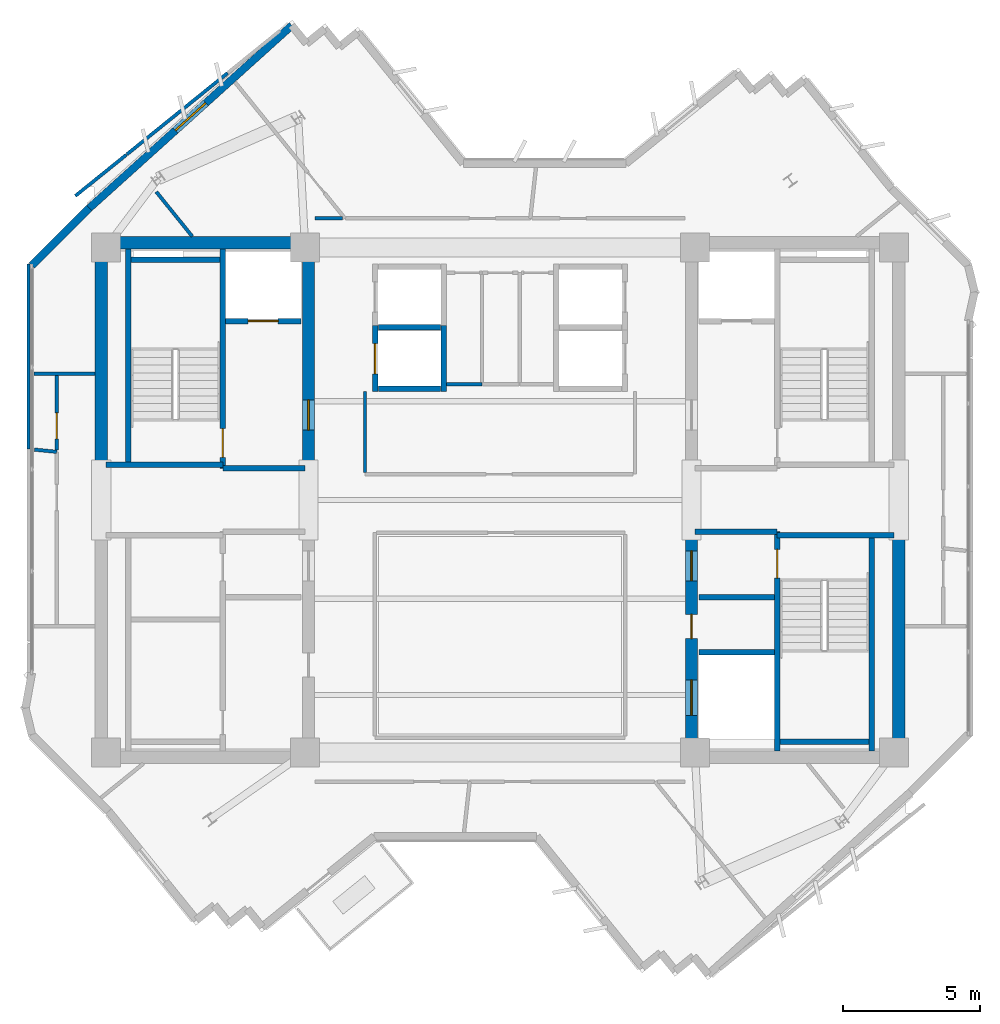
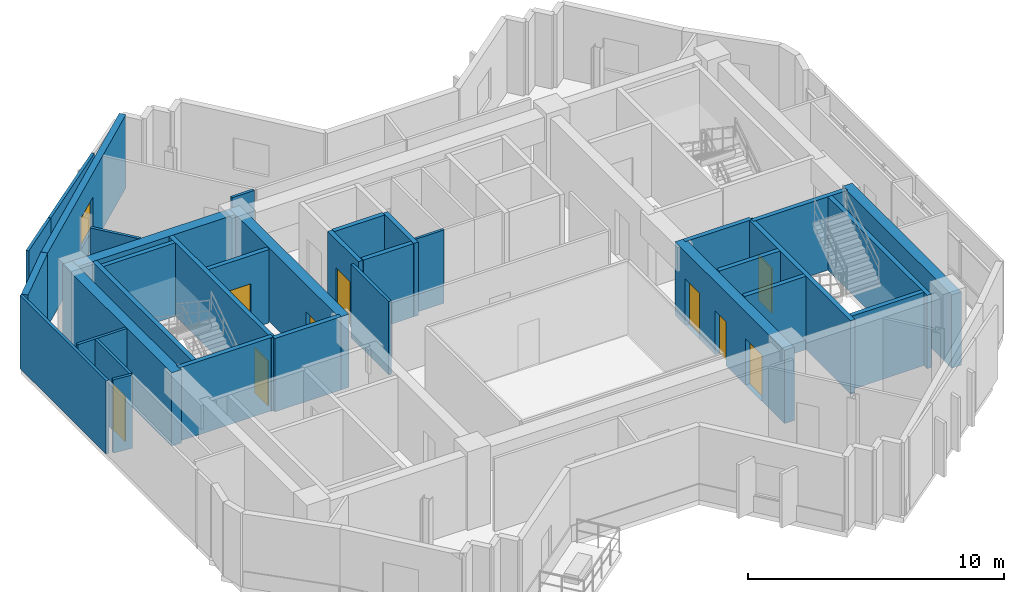
# One storey, part 7 of 11: 34 walls, 9 doors, 1 window, 10 openings.
"""IFC4 building model written with IfcOpenShell, lengths in metres."""

from ifc_helpers import new_model, si_unit, direction, frame, frame_2d, origin, place, context, subcontext, project, spatial, rectangle, extrude, source, transform, mapped, material, layer, layer_set, type_object, element, fill, save


model = new_model("IFC4")

# Units and contexts
model_context = context("Model", 3, precision=1e-05, world=origin(), true_north=direction((0.0, 1.0)))
body_context = subcontext(model_context, "Body", "Model", "MODEL_VIEW")
ifc_project = project(units=[si_unit("LENGTHUNIT", "METRE"), si_unit("AREAUNIT", "SQUARE_METRE"), si_unit("VOLUMEUNIT", "CUBIC_METRE"), si_unit("PLANEANGLEUNIT", "RADIAN"), si_unit("MASSUNIT", "GRAM", prefix="KILO")], contexts=[model_context])

# Site, building, storey
site_placement = place(None, origin())
site = spatial("IfcSite", under=ifc_project, at=site_placement, CompositionType="ELEMENT")
building_placement = place(site_placement, origin())
building = spatial("IfcBuilding", under=site, at=building_placement, Name="Zahravan Cultural Tower", CompositionType="ELEMENT")
storey_placement = place(building_placement, frame((0.0, 0.0, 284.10009765625)))
storey = spatial("IfcBuildingStorey", under=building, at=storey_placement, Name="L68", CompositionType="ELEMENT", Elevation=284.10009765625)

# Wall, opening, door
ifc_material_1 = material(Name="Concrete C50/60", Category="concrete")
ifc_layer_1 = layer(ifc_material_1, 0.449951171875)
ifc_layer_set_1 = layer_set([ifc_layer_1], Name="Concrete C50/60")
wall_type_1 = type_object("IfcWallType", Name="CW-SHEAR-450-C50", PredefinedType="SHEAR", material=ifc_layer_set_1)
wall_1_placement = place(storey_placement, frame((29.02490234375, 28.050048828125, 0.0), z_axis=(0.0, 0.0, 1.0), x_axis=(0.0, 1.0, 0.0)))
wall_1 = element("IfcWall", 1, at=wall_1_placement, inside=storey, type_object=wall_type_1, Name="L68 Core Shear Wall CW-W-EN-L68", PredefinedType="SHEAR", context=body_context, shape_type="SweptSolid", body=[
    extrude(rectangle(XDim=8.550048828125, YDim=0.449951171875, at=frame_2d((4.27490234375, 0.0))), origin(), (0.0, 0.0, 1.0), 3.5),
])
opening_1_placement = place(wall_1_placement, frame((1.5, 0.0, 0.0)))
opening_1 = element("IfcOpeningElement", 2, at=opening_1_placement, cuts=wall_1, Name="Opening D-L68-06", PredefinedType="OPENING", context=body_context, shape_type="SweptSolid", body=[
    extrude(rectangle(XDim=1.10009765625, YDim=2.199951171875, at=frame_2d((0.550048828125, 1.10009765625))), frame((0.0, 0.23486328125, 0.0), z_axis=(0.0, -1.0, 0.0), x_axis=(1.0, 0.0, 0.0)), (0.0, 0.0, 1.0), 0.469970703125),
])
ifc_material_2 = material(Name="Steel ASTM A572 Grade 50", Category="steel")
door_type_1 = type_object("IfcDoorType", Name="DR-LOBBY-1100", OperationType="NOTDEFINED", PredefinedType="DOOR", material=ifc_material_2)
shared_shape_1 = source(origin(), body_context, "Body", "SweptSolid", [
    extrude(rectangle(XDim=1.10009765625, YDim=2.199951171875, at=frame_2d((0.550048828125, 1.10009765625))), frame((0.0, 0.02490234375, 0.0), z_axis=(0.0, -1.0, 0.0), x_axis=(1.0, 0.0, 0.0)), (0.0, 0.0, 1.0), 0.050048828125),
])
door_1_placement = place(opening_1_placement, origin())
door_1 = element("IfcDoor", 3, at=door_1_placement, inside=storey, type_object=door_type_1, Name="L68 Door D-L68-06", OperationType="SINGLE_SWING_LEFT", OverallHeight=2.199951171875, OverallWidth=1.10009765625, PredefinedType="DOOR", context=body_context, shape_type="MappedRepresentation", body=[
    mapped(shared_shape_1, transform((0.0, 0.0, 0.0), x_axis=(1.0, 0.0, 0.0), y_axis=(0.0, 1.0, 0.0), z_axis=(0.0, 0.0, 1.0), scale=1.0)),
])
fill(opening_1, door_1)

# Wall, openings, doors
wall_2_placement = place(storey_placement, frame((42.97509765625, 17.39990234375, 0.0), z_axis=(0.0, 0.0, 1.0), x_axis=(0.0, 1.0, 0.0)))
wall_2 = element("IfcWall", 4, at=wall_2_placement, inside=storey, type_object=wall_type_1, Name="L68 Core Shear Wall CW-E-WS-L68", PredefinedType="SHEAR", context=body_context, shape_type="SweptSolid", body=[
    extrude(rectangle(XDim=8.550048828125, YDim=0.449951171875, at=frame_2d((4.27490234375, 0.0))), origin(), (0.0, 0.0, 1.0), 3.5),
])
opening_2_placement = place(wall_2_placement, frame((6.64990234375, 0.0, 0.0)))
opening_2 = element("IfcOpeningElement", 5, at=opening_2_placement, cuts=wall_2, Name="Opening D-L68-09", PredefinedType="OPENING", context=body_context, shape_type="SweptSolid", body=[
    extrude(rectangle(XDim=1.10009765625, YDim=2.199951171875, at=frame_2d((0.550048828125, 1.10009765625))), frame((0.0, 0.23486328125, 0.0), z_axis=(0.0, -1.0, 0.0), x_axis=(1.0, 0.0, 0.0)), (0.0, 0.0, 1.0), 0.469970703125),
])
opening_3_placement = place(wall_2_placement, frame((1.75, 0.0, 0.0)))
opening_3 = element("IfcOpeningElement", 6, at=opening_3_placement, cuts=wall_2, Name="Opening LD-L68-03", PredefinedType="OPENING", context=body_context, shape_type="SweptSolid", body=[
    extrude(rectangle(XDim=1.300048828125, YDim=2.199951171875, at=frame_2d((0.64990234375, 1.10009765625))), frame((0.0, 0.23486328125, 0.0), z_axis=(0.0, -1.0, 0.0), x_axis=(1.0, 0.0, 0.0)), (0.0, 0.0, 1.0), 0.469970703125),
])
opening_4_placement = place(wall_2_placement, frame((4.550048828125, 0.0, 0.0)))
opening_4 = element("IfcOpeningElement", 7, at=opening_4_placement, cuts=wall_2, Name="Opening D-L68-11", PredefinedType="OPENING", context=body_context, shape_type="SweptSolid", body=[
    extrude(rectangle(XDim=0.8798828125, YDim=2.10009765625, at=frame_2d((0.43994140625, 1.050048828125))), frame((0.0, 0.23486328125, 0.0), z_axis=(0.0, -1.0, 0.0), x_axis=(1.0, 0.0, 0.0)), (0.0, 0.0, 1.0), 0.469970703125),
])
door_2_placement = place(opening_2_placement, origin())
door_2 = element("IfcDoor", 8, at=door_2_placement, inside=storey, type_object=door_type_1, Name="L68 Door D-L68-09", OperationType="SINGLE_SWING_RIGHT", OverallHeight=2.199951171875, OverallWidth=1.10009765625, PredefinedType="DOOR", context=body_context, shape_type="MappedRepresentation", body=[
    mapped(shared_shape_1, transform((0.0, 0.0, 0.0), x_axis=(1.0, 0.0, 0.0), y_axis=(0.0, 1.0, 0.0), z_axis=(0.0, 0.0, 1.0), scale=1.0)),
])
fill(opening_2, door_2)
door_type_2 = type_object("IfcDoorType", Name="DR-LIFT-1300", OperationType="DOUBLE_DOOR_SLIDING", PredefinedType="DOOR", material=ifc_material_2)
shared_shape_2 = source(origin(), body_context, "Body", "SweptSolid", [
    extrude(rectangle(XDim=1.300048828125, YDim=2.199951171875, at=frame_2d((0.64990234375, 1.10009765625))), frame((0.0, 0.02490234375, 0.0), z_axis=(0.0, -1.0, 0.0), x_axis=(1.0, 0.0, 0.0)), (0.0, 0.0, 1.0), 0.050048828125),
])
door_3_placement = place(opening_3_placement, origin())
door_3 = element("IfcDoor", 9, at=door_3_placement, inside=storey, type_object=door_type_2, Name="L68 Door LD-L68-03", OperationType="DOUBLE_DOOR_SLIDING", OverallHeight=2.199951171875, OverallWidth=1.300048828125, PredefinedType="DOOR", context=body_context, shape_type="MappedRepresentation", body=[
    mapped(shared_shape_2, transform((0.0, 0.0, 0.0), x_axis=(1.0, 0.0, 0.0), y_axis=(0.0, 1.0, 0.0), z_axis=(0.0, 0.0, 1.0), scale=1.0)),
])
fill(opening_3, door_3)
door_type_3 = type_object("IfcDoorType", Name="DR-SVC-880", OperationType="NOTDEFINED", PredefinedType="DOOR", material=ifc_material_2)
shared_shape_3 = source(origin(), body_context, "Body", "SweptSolid", [
    extrude(rectangle(XDim=0.8798828125, YDim=2.10009765625, at=frame_2d((0.43994140625, 1.050048828125))), frame((0.0, 0.02490234375, 0.0), z_axis=(0.0, -1.0, 0.0), x_axis=(1.0, 0.0, 0.0)), (0.0, 0.0, 1.0), 0.050048828125),
])
door_4_placement = place(opening_4_placement, origin())
door_4 = element("IfcDoor", 10, at=door_4_placement, inside=storey, type_object=door_type_3, Name="L68 Door D-L68-11", OperationType="SINGLE_SWING_RIGHT", OverallHeight=2.10009765625, OverallWidth=0.8798828125, PredefinedType="DOOR", context=body_context, shape_type="MappedRepresentation", body=[
    mapped(shared_shape_3, transform((0.0, 0.0, 0.0), x_axis=(1.0, 0.0, 0.0), y_axis=(0.0, 1.0, 0.0), z_axis=(0.0, 0.0, 1.0), scale=1.0)),
])
fill(opening_4, door_4)

# Wall, opening, window
ifc_material_3 = material(Name="Precast concrete C40/50", Category="concrete")
ifc_layer_2 = layer(ifc_material_3, 0.280029296875)
ifc_layer_set_2 = layer_set([ifc_layer_2], Name="Precast concrete C40/50")
wall_type_2 = type_object("IfcWallType", Name="EW-TC-280", PredefinedType="SOLIDWALL", material=ifc_layer_set_2)
wall_3_placement = place(storey_placement, frame((21.0361328125, 37.63818359375, 0.0), z_axis=(0.0, 0.0, 1.0), x_axis=(0.742587457262, 0.669749108486, 0.0)))
wall_3 = element("IfcWall", 11, at=wall_3_placement, inside=storey, type_object=wall_type_2, Name="L68 Exterior Masonry Frame Wall 02", PredefinedType="SOLIDWALL", context=body_context, shape_type="SweptSolid", body=[
    extrude(rectangle(XDim=9.934814453125, YDim=0.280029296875, at=frame_2d((4.96728515625, 0.0))), origin(), (0.0, 0.0, 1.0), 3.5),
])
opening_5_placement = place(wall_3_placement, frame((4.217041015625, 0.0, 0.85009765625)))
opening_5 = element("IfcOpeningElement", 12, at=opening_5_placement, cuts=wall_3, Name="Opening WN-03", PredefinedType="OPENING", context=body_context, shape_type="SweptSolid", body=[
    extrude(rectangle(XDim=1.5, YDim=1.5, at=frame_2d((0.75, 0.75))), frame((0.0, 0.14990234375, 0.0), z_axis=(0.0, -1.0, 0.0), x_axis=(1.0, 0.0, 0.0)), (0.0, 0.0, 1.0), 0.300048828125),
])
ifc_material_4 = material(Name="Low-E solar-control double glazing", Category="glass")
window_type = type_object("IfcWindowType", Name="WN-REC-1500X1500", PartitioningType="SINGLE_PANEL", PredefinedType="WINDOW", material=ifc_material_4)
shared_shape_4 = source(origin(), body_context, "Body", "SweptSolid", [
    extrude(rectangle(XDim=1.5, YDim=1.5, at=frame_2d((0.75, 0.75))), frame((0.0, 0.030029296875, 0.0), z_axis=(0.0, -1.0, 0.0), x_axis=(1.0, 0.0, 0.0)), (0.0, 0.0, 1.0), 0.06005859375),
])
window_placement = place(opening_5_placement, origin())
window = element("IfcWindow", 13, at=window_placement, inside=storey, type_object=window_type, Name="L68 Recessed Solar Window 01", OverallHeight=1.5, OverallWidth=1.5, PartitioningType="SINGLE_PANEL", PredefinedType="WINDOW", context=body_context, shape_type="MappedRepresentation", body=[
    mapped(shared_shape_4, transform((0.0, 0.0, 0.0), x_axis=(1.0, 0.0, 0.0), y_axis=(0.0, 1.0, 0.0), z_axis=(0.0, 0.0, 1.0), scale=1.0)),
])
fill(opening_5, window)

# Wall, opening, door
ifc_material_5 = material(Name="Gypsum plasterboard partition")
ifc_layer_3 = layer(ifc_material_5, 0.125)
ifc_layer_set_3 = layer_set([ifc_layer_3], Name="Gypsum plasterboard partition")
wall_type_3 = type_object("IfcWallType", Name="W-PART-125", PredefinedType="PARTITIONING", material=ifc_layer_set_3)
wall_4_placement = place(storey_placement, frame((19.853515625, 31.599609375, 0.0), z_axis=(0.0, 0.0, 1.0), x_axis=(-0.00123022754, -0.99999924327, 0.0)))
wall_4 = element("IfcWall", 14, at=wall_4_placement, inside=storey, type_object=wall_type_3, Name="L68 Interior Wall 066", PredefinedType="PARTITIONING", context=body_context, shape_type="SweptSolid", body=[
    extrude(rectangle(XDim=2.7783203125, YDim=0.125, at=frame_2d((1.38916015625, 0.0))), origin(), (0.0, 0.0, 1.0), 3.5),
])
opening_6_placement = place(wall_4_placement, frame((1.42578125, 0.0, 0.0)))
opening_6 = element("IfcOpeningElement", 15, at=opening_6_placement, cuts=wall_4, Name="Opening D-L68-20", PredefinedType="OPENING", context=body_context, shape_type="SweptSolid", body=[
    extrude(rectangle(XDim=0.949951171875, YDim=2.14990234375, at=frame_2d((0.47509765625, 1.074951171875))), frame((0.0, 0.072509765625, 0.0), z_axis=(0.0, -1.0, 0.0), x_axis=(1.0, 0.0, 0.0)), (0.0, 0.0, 1.0), 0.14501953125),
])
ifc_material_6 = material(Name="Anodised bronze-aluminium mullion", Category="aluminium")
door_type_4 = type_object("IfcDoorType", Name="DR-ROOM-950", OperationType="NOTDEFINED", PredefinedType="DOOR", material=ifc_material_6)
shared_shape_5 = source(origin(), body_context, "Body", "SweptSolid", [
    extrude(rectangle(XDim=0.949951171875, YDim=2.14990234375, at=frame_2d((0.47509765625, 1.074951171875))), frame((0.0, 0.02490234375, 0.0), z_axis=(0.0, -1.0, 0.0), x_axis=(1.0, 0.0, 0.0)), (0.0, 0.0, 1.0), 0.050048828125),
])
door_5_placement = place(opening_6_placement, origin())
door_5 = element("IfcDoor", 16, at=door_5_placement, inside=storey, type_object=door_type_4, Name="L68 Door D-L68-20", OperationType="SINGLE_SWING_LEFT", OverallHeight=2.14990234375, OverallWidth=0.949951171875, PredefinedType="DOOR", context=body_context, shape_type="MappedRepresentation", body=[
    mapped(shared_shape_5, transform((0.0, 0.0, 0.0), x_axis=(1.0, 0.0, 0.0), y_axis=(0.0, 1.0, 0.0), z_axis=(0.0, 0.0, 1.0), scale=1.0)),
])
fill(opening_6, door_5)

ifc_material_7 = material(Name="Concrete C45/55", Category="concrete")
ifc_layer_4 = layer(ifc_material_7, 0.199951171875)
ifc_layer_set_4 = layer_set([ifc_layer_4], Name="Concrete C45/55")
wall_type_4 = type_object("IfcWallType", Name="W-SHAFT-200", PredefinedType="SOLIDWALL", material=ifc_layer_set_4)
wall_5_placement = place(storey_placement, frame((25.89990234375, 28.14990234375, 0.0), z_axis=(0.0, 0.0, 1.0), x_axis=(0.0, 1.0, 0.0)))
wall_5 = element("IfcWall", 17, at=wall_5_placement, inside=storey, type_object=wall_type_4, Name="L68 Interior Wall 006", PredefinedType="SOLIDWALL", context=body_context, shape_type="SweptSolid", body=[
    extrude(rectangle(XDim=8.0, YDim=0.199951171875, at=frame_2d((4.0, 0.0))), origin(), (0.0, 0.0, 1.0), 3.5),
])
opening_7_placement = place(wall_5_placement, frame((0.39990234375, 0.0, 0.0)))
opening_7 = element("IfcOpeningElement", 18, at=opening_7_placement, cuts=wall_5, Name="Opening D-L68-01", PredefinedType="OPENING", context=body_context, shape_type="SweptSolid", body=[
    extrude(rectangle(XDim=1.050048828125, YDim=2.14990234375, at=frame_2d((0.52490234375, 1.074951171875))), frame((0.0, 0.10986328125, 0.0), z_axis=(0.0, -1.0, 0.0), x_axis=(1.0, 0.0, 0.0)), (0.0, 0.0, 1.0), 0.219970703125),
])
door_type_5 = type_object("IfcDoorType", Name="DR-STAIR-1050", OperationType="NOTDEFINED", PredefinedType="DOOR", material=ifc_material_2)
shared_shape_6 = source(origin(), body_context, "Body", "SweptSolid", [
    extrude(rectangle(XDim=1.050048828125, YDim=2.14990234375, at=frame_2d((0.52490234375, 1.074951171875))), frame((0.0, 0.02490234375, 0.0), z_axis=(0.0, -1.0, 0.0), x_axis=(1.0, 0.0, 0.0)), (0.0, 0.0, 1.0), 0.050048828125),
])
door_6_placement = place(opening_7_placement, origin())
door_6 = element("IfcDoor", 19, at=door_6_placement, inside=storey, type_object=door_type_5, Name="L68 Door D-L68-01", OperationType="SINGLE_SWING_RIGHT", OverallHeight=2.14990234375, OverallWidth=1.050048828125, PredefinedType="DOOR", context=body_context, shape_type="MappedRepresentation", body=[
    mapped(shared_shape_6, transform((0.0, 0.0, 0.0), x_axis=(1.0, 0.0, 0.0), y_axis=(0.0, 1.0, 0.0), z_axis=(0.0, 0.0, 1.0), scale=1.0)),
])
fill(opening_7, door_6)

wall_6_placement = place(storey_placement, frame((46.10009765625, 17.85009765625, 0.0), z_axis=(0.0, 0.0, 1.0), x_axis=(0.0, 1.0, 0.0)))
wall_6 = element("IfcWall", 20, at=wall_6_placement, inside=storey, type_object=wall_type_4, Name="L68 Interior Wall 007", PredefinedType="SOLIDWALL", context=body_context, shape_type="SweptSolid", body=[
    extrude(rectangle(XDim=8.0, YDim=0.199951171875, at=frame_2d((4.0, 0.0))), origin(), (0.0, 0.0, 1.0), 3.5),
])
opening_8_placement = place(wall_6_placement, frame((6.300048828125, 0.0, 0.0)))
opening_8 = element("IfcOpeningElement", 21, at=opening_8_placement, cuts=wall_6, Name="Opening D-L68-03", PredefinedType="OPENING", context=body_context, shape_type="SweptSolid", body=[
    extrude(rectangle(XDim=1.050048828125, YDim=2.14990234375, at=frame_2d((0.52490234375, 1.074951171875))), frame((0.0, 0.10986328125, 0.0), z_axis=(0.0, -1.0, 0.0), x_axis=(1.0, 0.0, 0.0)), (0.0, 0.0, 1.0), 0.219970703125),
])
door_7_placement = place(opening_8_placement, origin())
door_7 = element("IfcDoor", 22, at=door_7_placement, inside=storey, type_object=door_type_5, Name="L68 Door D-L68-03", OperationType="SINGLE_SWING_RIGHT", OverallHeight=2.14990234375, OverallWidth=1.050048828125, PredefinedType="DOOR", context=body_context, shape_type="MappedRepresentation", body=[
    mapped(shared_shape_6, transform((0.0, 0.0, 0.0), x_axis=(1.0, 0.0, 0.0), y_axis=(0.0, 1.0, 0.0), z_axis=(0.0, 0.0, 1.0), scale=1.0)),
])
fill(opening_8, door_7)

wall_7_placement = place(storey_placement, frame((26.0, 33.52001953125, 0.0), z_axis=(0.0, 0.0, 1.0), x_axis=(1.0, 0.0, 0.0)))
wall_7 = element("IfcWall", 23, at=wall_7_placement, inside=storey, type_object=wall_type_4, Name="L68 Interior Wall 022", PredefinedType="SOLIDWALL", context=body_context, shape_type="SweptSolid", body=[
    extrude(rectangle(XDim=2.75, YDim=0.199951171875, at=frame_2d((1.375, 0.0))), origin(), (0.0, 0.0, 1.0), 3.5),
])
opening_9_placement = place(wall_7_placement, frame((0.820068359375, 0.0, 0.0)))
opening_9 = element("IfcOpeningElement", 24, at=opening_9_placement, cuts=wall_7, Name="Opening LD-L68-01", PredefinedType="OPENING", context=body_context, shape_type="SweptSolid", body=[
    extrude(rectangle(XDim=1.10009765625, YDim=2.14990234375, at=frame_2d((0.550048828125, 1.074951171875))), frame((0.0, 0.10986328125, 0.0), z_axis=(0.0, -1.0, 0.0), x_axis=(1.0, 0.0, 0.0)), (0.0, 0.0, 1.0), 0.219970703125),
])
door_type_6 = type_object("IfcDoorType", Name="DR-LIFT-1100", OperationType="DOUBLE_DOOR_SLIDING", PredefinedType="DOOR", material=ifc_material_2)
shared_shape_7 = source(origin(), body_context, "Body", "SweptSolid", [
    extrude(rectangle(XDim=1.10009765625, YDim=2.14990234375, at=frame_2d((0.550048828125, 1.074951171875))), frame((0.0, 0.02490234375, 0.0), z_axis=(0.0, -1.0, 0.0), x_axis=(1.0, 0.0, 0.0)), (0.0, 0.0, 1.0), 0.050048828125),
])
door_8_placement = place(opening_9_placement, origin())
door_8 = element("IfcDoor", 25, at=door_8_placement, inside=storey, type_object=door_type_6, Name="L68 Door LD-L68-01", OperationType="DOUBLE_DOOR_SLIDING", OverallHeight=2.14990234375, OverallWidth=1.10009765625, PredefinedType="DOOR", context=body_context, shape_type="MappedRepresentation", body=[
    mapped(shared_shape_7, transform((0.0, 0.0, 0.0), x_axis=(1.0, 0.0, 0.0), y_axis=(0.0, 1.0, 0.0), z_axis=(0.0, 0.0, 1.0), scale=1.0)),
])
fill(opening_9, door_8)

wall_8_placement = place(storey_placement, frame((31.449951171875, 30.949951171875, 0.0), z_axis=(0.0, 0.0, 1.0), x_axis=(0.0, 1.0, 0.0)))
wall_8 = element("IfcWall", 26, at=wall_8_placement, inside=storey, type_object=wall_type_4, Name="L68 Interior Wall 031", PredefinedType="SOLIDWALL", context=body_context, shape_type="SweptSolid", body=[
    extrude(rectangle(XDim=2.400146484375, YDim=0.199951171875, at=frame_2d((1.2001953125, 0.0))), origin(), (0.0, 0.0, 1.0), 3.5),
])
opening_10_placement = place(wall_8_placement, frame((0.64990234375, 0.0, 0.0)))
opening_10 = element("IfcOpeningElement", 27, at=opening_10_placement, cuts=wall_8, Name="Opening LD-L68-05", PredefinedType="OPENING", context=body_context, shape_type="SweptSolid", body=[
    extrude(rectangle(XDim=1.10009765625, YDim=2.14990234375, at=frame_2d((0.550048828125, 1.074951171875))), frame((0.0, 0.10986328125, 0.0), z_axis=(0.0, -1.0, 0.0), x_axis=(1.0, 0.0, 0.0)), (0.0, 0.0, 1.0), 0.219970703125),
])
door_9_placement = place(opening_10_placement, origin())
door_9 = element("IfcDoor", 28, at=door_9_placement, inside=storey, type_object=door_type_6, Name="L68 Door LD-L68-05", OperationType="DOUBLE_DOOR_SLIDING", OverallHeight=2.14990234375, OverallWidth=1.10009765625, PredefinedType="DOOR", context=body_context, shape_type="MappedRepresentation", body=[
    mapped(shared_shape_7, transform((0.0, 0.0, 0.0), x_axis=(1.0, 0.0, 0.0), y_axis=(0.0, 1.0, 0.0), z_axis=(0.0, 0.0, 1.0), scale=1.0)),
])
fill(opening_10, door_9)

# Walls
shared_shape_8 = source(origin(), body_context, "Body", "SweptSolid", [
    extrude(rectangle(XDim=8.550048828125, YDim=0.449951171875, at=frame_2d((4.27490234375, 0.0))), origin(), (0.0, 0.0, 1.0), 3.5),
])
for number, where, z_axis, x_axis, name in (
    (29, (21.47509765625, 28.050048828125, 0.0), (0.0, 0.0, 1.0), (0.0, 1.0, 0.0), "L68 Core Shear Wall CW-W-WN-L68"),
    (30, (50.52490234375, 17.39990234375, 0.0), (0.0, 0.0, 1.0), (0.0, 1.0, 0.0), "L68 Core Shear Wall CW-E-ES-L68"),
):
    element("IfcWall", number, at=place(storey_placement, frame(where, z_axis=z_axis, x_axis=x_axis)), inside=storey, type_object=wall_type_1, Name=name, PredefinedType="SHEAR", context=body_context, shape_type="MappedRepresentation", body=[
        mapped(shared_shape_8, transform((0.0, 0.0, 0.0), x_axis=(1.0, 0.0, 0.0), y_axis=(0.0, 1.0, 0.0), z_axis=(0.0, 0.0, 1.0), scale=1.0)),
    ])
shared_shape_9 = source(origin(), body_context, "Body", "SweptSolid", [
    extrude(rectangle(XDim=7.10009765625, YDim=0.449951171875, at=frame_2d((3.550048828125, 0.0))), origin(), (0.0, 0.0, 1.0), 3.5),
])
wall_9_placement = place(storey_placement, frame((21.699951171875, 36.375, 0.0), z_axis=(0.0, 0.0, 1.0), x_axis=(1.0, 0.0, 0.0)))
element("IfcWall", 31, at=wall_9_placement, inside=storey, type_object=wall_type_1, Name="L68 Core Shear Wall CW-W-N-L68", PredefinedType="SHEAR", context=body_context, shape_type="MappedRepresentation", body=[
    mapped(shared_shape_9, transform((0.0, 0.0, 0.0), x_axis=(1.0, 0.0, 0.0), y_axis=(0.0, 1.0, 0.0), z_axis=(0.0, 0.0, 1.0), scale=1.0)),
])
shared_shape_10 = source(origin(), body_context, "Body", "SweptSolid", [
    extrude(rectangle(XDim=2.96435546875, YDim=0.280029296875, at=frame_2d((1.482177734375, 0.0))), origin(), (0.0, 0.0, 1.0), 3.5),
])
wall_10_placement = place(storey_placement, frame((18.93994140625, 35.5419921875, 0.0), z_axis=(0.0, 0.0, 1.0), x_axis=(0.707106781187, 0.707106781187, 0.0)))
element("IfcWall", 32, at=wall_10_placement, inside=storey, type_object=wall_type_2, Name="L68 Exterior Masonry Frame Wall 01", PredefinedType="SOLIDWALL", context=body_context, shape_type="MappedRepresentation", body=[
    mapped(shared_shape_10, transform((0.0, 0.0, 0.0), x_axis=(1.0, 0.0, 0.0), y_axis=(0.0, 1.0, 0.0), z_axis=(0.0, 0.0, 1.0), scale=1.0)),
])
shared_shape_11 = source(origin(), body_context, "Body", "SweptSolid", [
    extrude(rectangle(XDim=7.869873046875, YDim=0.199951171875, at=frame_2d((3.93505859375, 0.0))), origin(), (0.0, 0.0, 1.0), 3.5),
])
for number, where, z_axis, x_axis, name in (
    (33, (22.449951171875, 28.280029296875, 0.0), (0.0, 0.0, 1.0), (0.0, 1.0, 0.0), "L68 Interior Wall 002"),
    (34, (49.550048828125, 17.85009765625, 0.0), (0.0, 0.0, 1.0), (0.0, 1.0, 0.0), "L68 Interior Wall 003"),
):
    element("IfcWall", number, at=place(storey_placement, frame(where, z_axis=z_axis, x_axis=x_axis)), inside=storey, type_object=wall_type_4, Name=name, PredefinedType="SOLIDWALL", context=body_context, shape_type="MappedRepresentation", body=[
        mapped(shared_shape_11, transform((0.0, 0.0, 0.0), x_axis=(1.0, 0.0, 0.0), y_axis=(0.0, 1.0, 0.0), z_axis=(0.0, 0.0, 1.0), scale=1.0)),
    ])
shared_shape_12 = source(origin(), body_context, "Body", "SweptSolid", [
    extrude(rectangle(XDim=4.25, YDim=0.199951171875, at=frame_2d((2.125, 0.0))), origin(), (0.0, 0.0, 1.0), 3.5),
])
for number, where, z_axis, x_axis, name in (
    (35, (21.64990234375, 28.284912109375, 0.0), (0.0, 0.0, 1.0), (1.0, 0.0, 0.0), "L68 Interior Wall 011"),
    (36, (46.10009765625, 25.715087890625, 0.0), (0.0, 0.0, 1.0), (1.0, 0.0, 0.0), "L68 Interior Wall 014"),
):
    element("IfcWall", number, at=place(storey_placement, frame(where, z_axis=z_axis, x_axis=x_axis)), inside=storey, type_object=wall_type_4, Name=name, PredefinedType="SOLIDWALL", context=body_context, shape_type="MappedRepresentation", body=[
        mapped(shared_shape_12, transform((0.0, 0.0, 0.0), x_axis=(1.0, 0.0, 0.0), y_axis=(0.0, 1.0, 0.0), z_axis=(0.0, 0.0, 1.0), scale=1.0)),
    ])
shared_shape_13 = source(origin(), body_context, "Body", "SweptSolid", [
    extrude(rectangle(XDim=3.0, YDim=0.199951171875, at=frame_2d((1.5, 0.0))), origin(), (0.0, 0.0, 1.0), 3.5),
])
for number, where, z_axis, x_axis, name in (
    (37, (25.89990234375, 28.14990234375, 0.0), (0.0, 0.0, 1.0), (1.0, 0.0, 0.0), "L68 Interior Wall 012"),
    (38, (43.10009765625, 25.85009765625, 0.0), (0.0, 0.0, 1.0), (1.0, 0.0, 0.0), "L68 Interior Wall 013"),
):
    element("IfcWall", number, at=place(storey_placement, frame(where, z_axis=z_axis, x_axis=x_axis)), inside=storey, type_object=wall_type_4, Name=name, PredefinedType="SOLIDWALL", context=body_context, shape_type="MappedRepresentation", body=[
        mapped(shared_shape_13, transform((0.0, 0.0, 0.0), x_axis=(1.0, 0.0, 0.0), y_axis=(0.0, 1.0, 0.0), z_axis=(0.0, 0.0, 1.0), scale=1.0)),
    ])
shared_shape_14 = source(origin(), body_context, "Body", "SweptSolid", [
    extrude(rectangle(XDim=3.25, YDim=0.199951171875, at=frame_2d((1.625, 0.0))), origin(), (0.0, 0.0, 1.0), 3.5),
])
for number, where, z_axis, x_axis, name in (
    (39, (22.550048828125, 35.75, 0.0), (0.0, 0.0, 1.0), (1.0, 0.0, 0.0), "L68 Interior Wall 017"),
    (40, (46.199951171875, 18.199951171875, 0.0), (0.0, 0.0, 1.0), (1.0, 0.0, 0.0), "L68 Interior Wall 020"),
):
    element("IfcWall", number, at=place(storey_placement, frame(where, z_axis=z_axis, x_axis=x_axis)), inside=storey, type_object=wall_type_4, Name=name, PredefinedType="SOLIDWALL", context=body_context, shape_type="MappedRepresentation", body=[
        mapped(shared_shape_14, transform((0.0, 0.0, 0.0), x_axis=(1.0, 0.0, 0.0), y_axis=(0.0, 1.0, 0.0), z_axis=(0.0, 0.0, 1.0), scale=1.0)),
    ])
shared_shape_15 = source(origin(), body_context, "Body", "SweptSolid", [
    extrude(rectangle(XDim=2.75, YDim=0.199951171875, at=frame_2d((1.375, 0.0))), origin(), (0.0, 0.0, 1.0), 3.5),
])
for number, where, z_axis, x_axis, name in (
    (41, (43.25, 23.449951171875, 0.0), (0.0, 0.0, 1.0), (1.0, 0.0, 0.0), "L68 Interior Wall 025"),
    (42, (43.25, 21.449951171875, 0.0), (0.0, 0.0, 1.0), (1.0, 0.0, 0.0), "L68 Interior Wall 026"),
):
    element("IfcWall", number, at=place(storey_placement, frame(where, z_axis=z_axis, x_axis=x_axis)), inside=storey, type_object=wall_type_4, Name=name, PredefinedType="SOLIDWALL", context=body_context, shape_type="MappedRepresentation", body=[
        mapped(shared_shape_15, transform((0.0, 0.0, 0.0), x_axis=(1.0, 0.0, 0.0), y_axis=(0.0, 1.0, 0.0), z_axis=(0.0, 0.0, 1.0), scale=1.0)),
    ])
shared_shape_16 = source(origin(), body_context, "Body", "SweptSolid", [
    extrude(rectangle(XDim=2.400146484375, YDim=0.199951171875, at=frame_2d((1.2001953125, 0.0))), origin(), (0.0, 0.0, 1.0), 3.5),
])
wall_11_placement = place(storey_placement, frame((33.949951171875, 30.949951171875, 0.0), z_axis=(0.0, 0.0, 1.0), x_axis=(0.0, 1.0, 0.0)))
element("IfcWall", 43, at=wall_11_placement, inside=storey, type_object=wall_type_4, Name="L68 Interior Wall 032", PredefinedType="SOLIDWALL", context=body_context, shape_type="MappedRepresentation", body=[
    mapped(shared_shape_16, transform((0.0, 0.0, 0.0), x_axis=(1.0, 0.0, 0.0), y_axis=(0.0, 1.0, 0.0), z_axis=(0.0, 0.0, 1.0), scale=1.0)),
])
shared_shape_17 = source(origin(), body_context, "Body", "SweptSolid", [
    extrude(rectangle(XDim=2.260009765625, YDim=0.199951171875, at=frame_2d((1.1298828125, 0.0))), origin(), (0.0, 0.0, 1.0), 3.5),
])
for number, where, z_axis, x_axis, name in (
    (44, (31.570068359375, 33.300048828125, 0.0), (0.0, 0.0, 1.0), (1.0, 0.0, 0.0), "L68 Interior Wall 029"),
    (45, (31.570068359375, 31.050048828125, 0.0), (0.0, 0.0, 1.0), (1.0, 0.0, 0.0), "L68 Interior Wall 033"),
):
    element("IfcWall", number, at=place(storey_placement, frame(where, z_axis=z_axis, x_axis=x_axis)), inside=storey, type_object=wall_type_4, Name=name, PredefinedType="SOLIDWALL", context=body_context, shape_type="MappedRepresentation", body=[
        mapped(shared_shape_17, transform((0.0, 0.0, 0.0), x_axis=(1.0, 0.0, 0.0), y_axis=(0.0, 1.0, 0.0), z_axis=(0.0, 0.0, 1.0), scale=1.0)),
    ])
shared_shape_18 = source(origin(), body_context, "Body", "SweptSolid", [
    extrude(rectangle(XDim=2.9423828125, YDim=0.125, at=frame_2d((1.47119140625, 0.0))), origin(), (0.0, 0.0, 1.0), 3.5),
])
wall_12_placement = place(storey_placement, frame((31.080078125, 28.007568359375, 0.0), z_axis=(0.0, 0.0, 1.0), x_axis=(0.0, 1.0, 0.0)))
element("IfcWall", 46, at=wall_12_placement, inside=storey, type_object=wall_type_3, Name="L68 Interior Wall 079", PredefinedType="PARTITIONING", context=body_context, shape_type="MappedRepresentation", body=[
    mapped(shared_shape_18, transform((0.0, 0.0, 0.0), x_axis=(1.0, 0.0, 0.0), y_axis=(0.0, 1.0, 0.0), z_axis=(0.0, 0.0, 1.0), scale=1.0)),
])
shared_shape_19 = source(origin(), body_context, "Body", "SweptSolid", [
    extrude(rectangle(XDim=4.72021484375, YDim=0.125, at=frame_2d((2.360107421875, 0.0))), origin(), (0.0, 0.0, 1.0), 3.5),
])
wall_13_placement = place(storey_placement, frame((22.401611328125, 39.59228515625, 0.0), z_axis=(0.0, 0.0, 1.0), x_axis=(0.778024801452, 0.628233561922, 0.0)))
element("IfcWall", 47, at=wall_13_placement, inside=storey, type_object=wall_type_3, Name="L68 Interior Wall 073", PredefinedType="PARTITIONING", context=body_context, shape_type="MappedRepresentation", body=[
    mapped(shared_shape_19, transform((0.0, 0.0, 0.0), x_axis=(1.0, 0.0, 0.0), y_axis=(0.0, 1.0, 0.0), z_axis=(0.0, 0.0, 1.0), scale=1.0)),
])
shared_shape_20 = source(origin(), body_context, "Body", "SweptSolid", [
    extrude(rectangle(XDim=2.389892578125, YDim=0.125, at=frame_2d((1.19482421875, 0.0))), origin(), (0.0, 0.0, 1.0), 3.5),
])
wall_14_placement = place(storey_placement, frame((20.526611328125, 38.078369140625, 0.0), z_axis=(0.0, 0.0, 1.0), x_axis=(0.778010315123, 0.628251501839, 0.0)))
element("IfcWall", 48, at=wall_14_placement, inside=storey, type_object=wall_type_3, Name="L68 Interior Wall 068", PredefinedType="PARTITIONING", context=body_context, shape_type="MappedRepresentation", body=[
    mapped(shared_shape_20, transform((0.0, 0.0, 0.0), x_axis=(1.0, 0.0, 0.0), y_axis=(0.0, 1.0, 0.0), z_axis=(0.0, 0.0, 1.0), scale=1.0)),
])
ifc_layer_5 = layer(ifc_material_5, 0.114990234375)
ifc_layer_set_5 = layer_set([ifc_layer_5], Name="Gypsum plasterboard partition")
wall_type_5 = type_object("IfcWallType", Name="W-WC-115", PredefinedType="PARTITIONING", material=ifc_layer_set_5)
shared_shape_21 = source(origin(), body_context, "Body", "SweptSolid", [
    extrude(rectangle(XDim=1.28515625, YDim=0.114990234375, at=frame_2d((0.642578125, 0.0))), origin(), (0.0, 0.0, 1.0), 3.5),
])
wall_15_placement = place(storey_placement, frame((35.340087890625, 31.219970703125, 0.0), z_axis=(0.0, 0.0, 1.0), x_axis=(-1.0, 0.0, 0.0)))
element("IfcWall", 49, at=wall_15_placement, inside=storey, type_object=wall_type_5, Name="L68 Interior Wall 044", PredefinedType="PARTITIONING", context=body_context, shape_type="MappedRepresentation", body=[
    mapped(shared_shape_21, transform((0.0, 0.0, 0.0), x_axis=(1.0, 0.0, 0.0), y_axis=(0.0, 1.0, 0.0), z_axis=(0.0, 0.0, 1.0), scale=1.0)),
])
shared_shape_22 = source(origin(), body_context, "Body", "SweptSolid", [
    extrude(rectangle(XDim=2.215087890625, YDim=0.125, at=frame_2d((1.107421875, 0.0))), origin(), (0.0, 0.0, 1.0), 3.5),
])
wall_16_placement = place(storey_placement, frame((21.2451171875, 31.60009765625, 0.0), z_axis=(0.0, 0.0, 1.0), x_axis=(-0.999999902817, -0.000440868468, 0.0)))
element("IfcWall", 50, at=wall_16_placement, inside=storey, type_object=wall_type_3, Name="L68 Interior Wall 070", PredefinedType="PARTITIONING", context=body_context, shape_type="MappedRepresentation", body=[
    mapped(shared_shape_22, transform((0.0, 0.0, 0.0), x_axis=(1.0, 0.0, 0.0), y_axis=(0.0, 1.0, 0.0), z_axis=(0.0, 0.0, 1.0), scale=1.0)),
])
shared_shape_23 = source(origin(), body_context, "Body", "SweptSolid", [
    extrude(rectangle(XDim=0.8193359375, YDim=0.125, at=frame_2d((0.40966796875, 0.0))), origin(), (0.0, 0.0, 1.0), 3.5),
])
wall_17_placement = place(storey_placement, frame((19.034912109375, 28.83642578125, 0.0), z_axis=(0.0, 0.0, 1.0), x_axis=(0.994885598115, -0.101008151471, 0.0)))
element("IfcWall", 51, at=wall_17_placement, inside=storey, type_object=wall_type_3, Name="L68 Interior Wall 054", PredefinedType="PARTITIONING", context=body_context, shape_type="MappedRepresentation", body=[
    mapped(shared_shape_23, transform((0.0, 0.0, 0.0), x_axis=(1.0, 0.0, 0.0), y_axis=(0.0, 1.0, 0.0), z_axis=(0.0, 0.0, 1.0), scale=1.0)),
])
shared_shape_24 = source(origin(), body_context, "Body", "SweptSolid", [
    extrude(rectangle(XDim=2.08935546875, YDim=0.125, at=frame_2d((1.044677734375, 0.0))), origin(), (0.0, 0.0, 1.0), 3.5),
])
wall_18_placement = place(storey_placement, frame((23.475341796875, 38.230712890625, 0.0), z_axis=(0.0, 0.0, 1.0), x_axis=(0.628165745158, -0.778079556735, 0.0)))
element("IfcWall", 52, at=wall_18_placement, inside=storey, type_object=wall_type_3, Name="L68 Interior Wall 069", PredefinedType="PARTITIONING", context=body_context, shape_type="MappedRepresentation", body=[
    mapped(shared_shape_24, transform((0.0, 0.0, 0.0), x_axis=(1.0, 0.0, 0.0), y_axis=(0.0, 1.0, 0.0), z_axis=(0.0, 0.0, 1.0), scale=1.0)),
])
shared_shape_25 = source(origin(), body_context, "Body", "SweptSolid", [
    extrude(rectangle(XDim=6.733642578125, YDim=0.125, at=frame_2d((3.36669921875, 0.0))), origin(), (0.0, 0.0, 1.0), 3.5),
])
wall_19_placement = place(storey_placement, frame((18.820068359375, 28.858154296875, 0.0), z_axis=(0.0, 0.0, 1.0), x_axis=(0.0, 1.0, 0.0)))
element("IfcWall", 53, at=wall_19_placement, inside=storey, type_object=wall_type_3, Name="L68 Interior Wall 067", PredefinedType="PARTITIONING", context=body_context, shape_type="MappedRepresentation", body=[
    mapped(shared_shape_25, transform((0.0, 0.0, 0.0), x_axis=(1.0, 0.0, 0.0), y_axis=(0.0, 1.0, 0.0), z_axis=(0.0, 0.0, 1.0), scale=1.0)),
])
shared_shape_26 = source(origin(), body_context, "Body", "SweptSolid", [
    extrude(rectangle(XDim=1.010986328125, YDim=0.125, at=frame_2d((0.50537109375, 0.0))), origin(), (0.0, 0.0, 1.0), 3.5),
])
wall_20_placement = place(storey_placement, frame((30.264404296875, 37.260009765625, 0.0), z_axis=(0.0, 0.0, 1.0), x_axis=(-0.999999883368, -0.00048297507, 0.0)))
element("IfcWall", 54, at=wall_20_placement, inside=storey, type_object=wall_type_3, Name="L68 Interior Wall 072", PredefinedType="PARTITIONING", context=body_context, shape_type="MappedRepresentation", body=[
    mapped(shared_shape_26, transform((0.0, 0.0, 0.0), x_axis=(1.0, 0.0, 0.0), y_axis=(0.0, 1.0, 0.0), z_axis=(0.0, 0.0, 1.0), scale=1.0)),
])

save(model, "model.ifc")
